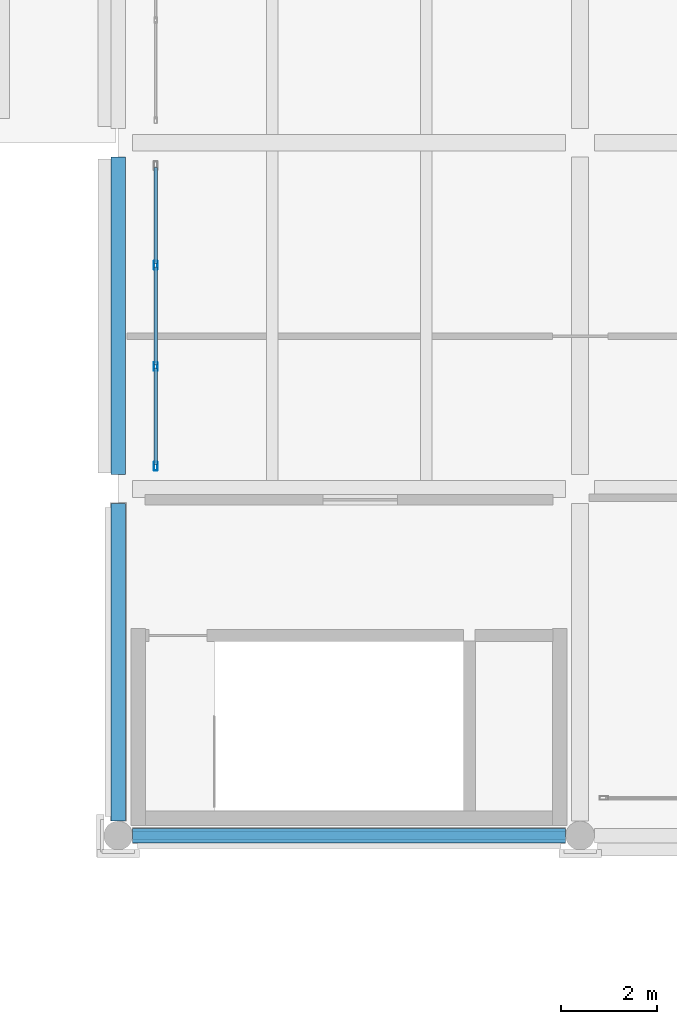
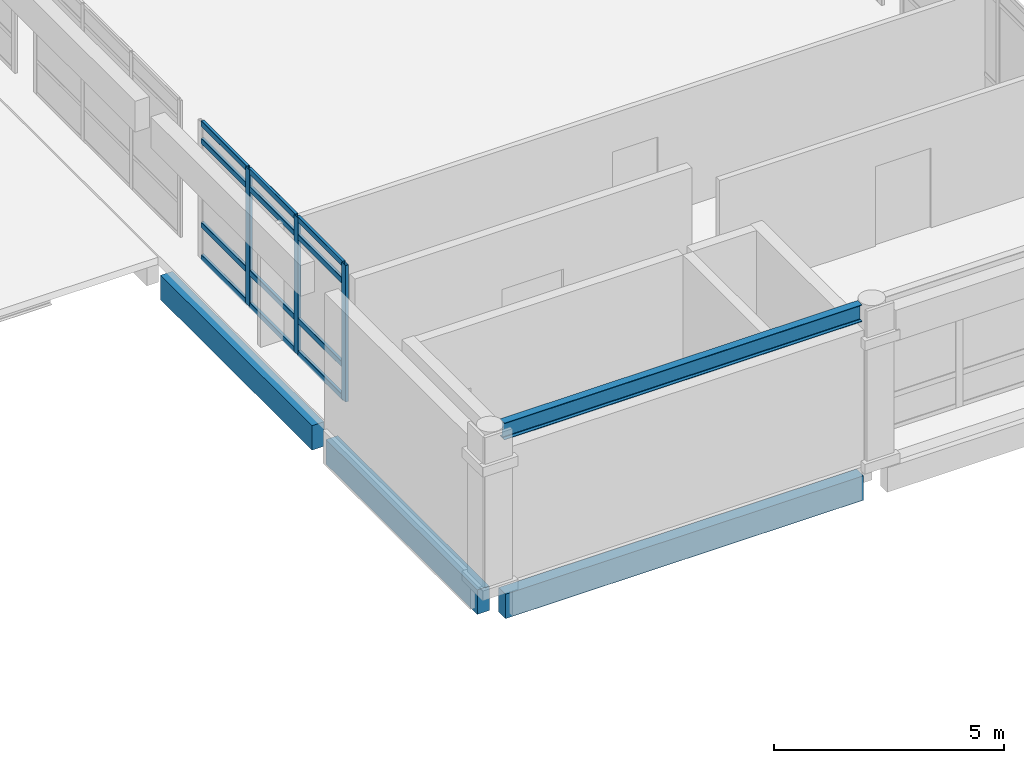
# One storey, part 60 of 180: 15 members, 4 beams, 1 element without a shape of its own.
"""IFC4 building model written with IfcOpenShell, lengths in metres."""

from ifc_helpers import new_model, si_unit, direction, frame, origin, origin_2d, place, context, subcontext, project, spatial, rectangle, hollow_rectangle, i_section, extrude, material, layer, layer_set, material_profile, profile_set, type_object, element, aggregate, save


model = new_model("IFC4")

# Units and contexts
model_context = context("Model", 3, precision=1e-05, world=origin(), true_north=direction((0.0, 1.0)))
body_context = subcontext(model_context, "Body", "Model", "MODEL_VIEW")
ifc_project = project(units=[si_unit("LENGTHUNIT", "METRE"), si_unit("AREAUNIT", "SQUARE_METRE"), si_unit("VOLUMEUNIT", "CUBIC_METRE"), si_unit("PLANEANGLEUNIT", "RADIAN"), si_unit("MASSUNIT", "GRAM", prefix="KILO")], contexts=[model_context])

# Site, building, storey
site_placement = place(None, origin())
site = spatial("IfcSite", under=ifc_project, at=site_placement, CompositionType="ELEMENT")
building_placement = place(site_placement, origin())
building = spatial("IfcBuilding", under=site, at=building_placement, Name="Asteropetra Specialist Clinic", CompositionType="ELEMENT")
storey_placement = place(building_placement, frame((0.0, 0.0, 4.419921875)))
storey = spatial("IfcBuildingStorey", under=building, at=storey_placement, Name="L01", CompositionType="ELEMENT", Elevation=4.419921875)

# Beam
ifc_material_1 = material(Name="Steel S355", Category="steel")
ifc_material_profile_1 = material_profile(ifc_material_1, i_section(OverallWidth=0.18994140625, OverallDepth=0.449951171875, WebThickness=0.009521484375, FlangeThickness=0.0146484375, FilletRadius=0.02099609375, at=origin_2d()), Name="IPE 450")
ifc_profile_set_1 = profile_set([ifc_material_profile_1], Name="Steel S355")
beam_type_1 = type_object("IfcBeamType", Name="BM-STL-IPE450", PredefinedType="BEAM", material=ifc_profile_set_1)
beam_1_placement = place(storey_placement, frame((77.10009765625, 33.60009765625, 4.030029296875), z_axis=(1.0, 0.0, 0.0), x_axis=(0.0, 1.0, 0.0)))
element("IfcBeam", 1, at=beam_1_placement, inside=storey, type_object=beam_type_1, Name="Pavilion Eave Girder EG3-76-33", PredefinedType="BEAM", context=body_context, shape_type="SweptSolid", body=[
    extrude(i_section(OverallWidth=0.18994140625, OverallDepth=0.449951171875, WebThickness=0.009521484375, FlangeThickness=0.0146484375, FilletRadius=0.02099609375, at=origin_2d()), origin(), (0.0, 0.0, 1.0), 9.0),
])

# Curtain wall, members
ifc_material_2 = material(Name="Aluminium and low-E glass", Category="aluminium")
ifc_layer = layer(ifc_material_2, 0.179931640625)
ifc_layer_set = layer_set([ifc_layer], Name="Aluminium and low-E glass")
curtain_wall_type = type_object("IfcCurtainWallType", Name="CW-SYS-10", PredefinedType="USERDEFINED", material=ifc_layer_set)
curtain_wall_placement = place(storey_placement, origin())
curtain_wall = element("IfcCurtainWall", 2, at=curtain_wall_placement, inside=storey, type_object=curtain_wall_type, Name="Curtain Wall CW-177", ObjectType="STICK GLAZED COLONNADE", PredefinedType="USERDEFINED")
ifc_material_3 = material(Name="Aluminium 6063-T6", Category="aluminium")
ifc_material_profile_2 = material_profile(ifc_material_3, hollow_rectangle(XDim=0.074951171875, YDim=0.179931640625, WallThickness=0.00390625, InnerFilletRadius=0.00390625, OuterFilletRadius=0.008056640625, at=origin_2d()), Name="MUL 180x75x4.0")
ifc_profile_set_2 = profile_set([ifc_material_profile_2], Name="Aluminium 6063-T6")
member_type_1 = type_object("IfcMemberType", Name="CWM-180x75", PredefinedType="MULLION", material=ifc_profile_set_2)
member_1_placement = place(storey_placement, frame((77.580078125, 45.453369140625, 0.0), z_axis=(0.0, 0.0, 1.0), x_axis=(1.0, 0.0, 0.0)))
member_1 = element("IfcMember", 3, at=member_1_placement, type_object=member_type_1, Name="CW-177 mullion 2", PredefinedType="MULLION", context=body_context, shape_type="SweptSolid", body=[
    extrude(hollow_rectangle(XDim=0.074951171875, YDim=0.179931640625, WallThickness=0.00390625, InnerFilletRadius=0.00390625, OuterFilletRadius=0.008056640625, at=origin_2d()), origin(), (0.0, 0.0, 1.0), 3.630126953125),
])
member_2_placement = place(storey_placement, frame((77.580078125, 43.3466796875, 0.0), z_axis=(0.0, 0.0, 1.0), x_axis=(1.0, 0.0, 0.0)))
member_2 = element("IfcMember", 4, at=member_2_placement, type_object=member_type_1, Name="CW-177 mullion 3", PredefinedType="MULLION", context=body_context, shape_type="SweptSolid", body=[
    extrude(hollow_rectangle(XDim=0.074951171875, YDim=0.179931640625, WallThickness=0.00390625, InnerFilletRadius=0.00390625, OuterFilletRadius=0.008056640625, at=origin_2d()), origin(), (0.0, 0.0, 1.0), 3.630126953125),
])
member_3_placement = place(storey_placement, frame((77.580078125, 41.277587890625, 0.0), z_axis=(0.0, 0.0, 1.0), x_axis=(1.0, 0.0, 0.0)))
member_3 = element("IfcMember", 5, at=member_3_placement, type_object=member_type_1, Name="CW-177 mullion 4", PredefinedType="MULLION", context=body_context, shape_type="SweptSolid", body=[
    extrude(hollow_rectangle(XDim=0.074951171875, YDim=0.179931640625, WallThickness=0.00390625, InnerFilletRadius=0.00390625, OuterFilletRadius=0.008056640625, at=origin_2d()), origin(), (0.0, 0.0, 1.0), 3.630126953125),
])
ifc_material_4 = material(Name="Aluminium 6063-T6", Category="aluminium")
ifc_material_profile_3 = material_profile(ifc_material_4, hollow_rectangle(XDim=0.074951171875, YDim=0.14990234375, WallThickness=0.00390625, InnerFilletRadius=0.00390625, OuterFilletRadius=0.008056640625, at=origin_2d()), Name="TRN 150x75x4.0")
ifc_profile_set_3 = profile_set([ifc_material_profile_3], Name="Aluminium 6063-T6")
member_type_2 = type_object("IfcMemberType", Name="CWT-150x75", PredefinedType="USERDEFINED", material=ifc_profile_set_3)
member_4_placement = place(storey_placement, frame((77.580078125, 47.485107421875, 0.03759765625), z_axis=(0.0, -1.0, 0.0), x_axis=(1.0, 0.0, 0.0)))
member_4 = element("IfcMember", 6, at=member_4_placement, type_object=member_type_2, Name="CW-177 transom 1.1", ObjectType="TRANSOM", PredefinedType="USERDEFINED", context=body_context, shape_type="SweptSolid", body=[
    extrude(hollow_rectangle(XDim=0.074951171875, YDim=0.14990234375, WallThickness=0.00390625, InnerFilletRadius=0.00390625, OuterFilletRadius=0.008056640625, at=origin_2d()), origin(), (0.0, 0.0, 1.0), 1.994384765625),
])
member_5_placement = place(storey_placement, frame((77.580078125, 47.485107421875, 0.900146484375), z_axis=(0.0, -1.0, 0.0), x_axis=(1.0, 0.0, 0.0)))
member_5 = element("IfcMember", 7, at=member_5_placement, type_object=member_type_2, Name="CW-177 transom 1.2", ObjectType="TRANSOM", PredefinedType="USERDEFINED", context=body_context, shape_type="SweptSolid", body=[
    extrude(hollow_rectangle(XDim=0.074951171875, YDim=0.14990234375, WallThickness=0.00390625, InnerFilletRadius=0.00390625, OuterFilletRadius=0.008056640625, at=origin_2d()), origin(), (0.0, 0.0, 1.0), 1.994384765625),
])
member_6_placement = place(storey_placement, frame((77.580078125, 47.485107421875, 3.130126953125), z_axis=(0.0, -1.0, 0.0), x_axis=(1.0, 0.0, 0.0)))
member_6 = element("IfcMember", 8, at=member_6_placement, type_object=member_type_2, Name="CW-177 transom 1.3", ObjectType="TRANSOM", PredefinedType="USERDEFINED", context=body_context, shape_type="SweptSolid", body=[
    extrude(hollow_rectangle(XDim=0.074951171875, YDim=0.14990234375, WallThickness=0.00390625, InnerFilletRadius=0.00390625, OuterFilletRadius=0.008056640625, at=origin_2d()), origin(), (0.0, 0.0, 1.0), 1.994384765625),
])
member_7_placement = place(storey_placement, frame((77.580078125, 47.485107421875, 3.592529296875), z_axis=(0.0, -1.0, 0.0), x_axis=(1.0, 0.0, 0.0)))
member_7 = element("IfcMember", 9, at=member_7_placement, type_object=member_type_2, Name="CW-177 transom 1.4", ObjectType="TRANSOM", PredefinedType="USERDEFINED", context=body_context, shape_type="SweptSolid", body=[
    extrude(hollow_rectangle(XDim=0.074951171875, YDim=0.14990234375, WallThickness=0.00390625, InnerFilletRadius=0.00390625, OuterFilletRadius=0.008056640625, at=origin_2d()), origin(), (0.0, 0.0, 1.0), 1.994384765625),
])
member_8_placement = place(storey_placement, frame((77.580078125, 45.415771484375, 0.03759765625), z_axis=(0.0, -1.0, 0.0), x_axis=(1.0, 0.0, 0.0)))
member_8 = element("IfcMember", 10, at=member_8_placement, type_object=member_type_2, Name="CW-177 transom 2.1", ObjectType="TRANSOM", PredefinedType="USERDEFINED", context=body_context, shape_type="SweptSolid", body=[
    extrude(hollow_rectangle(XDim=0.074951171875, YDim=0.14990234375, WallThickness=0.00390625, InnerFilletRadius=0.00390625, OuterFilletRadius=0.008056640625, at=origin_2d()), origin(), (0.0, 0.0, 1.0), 2.031494140625),
])
member_9_placement = place(storey_placement, frame((77.580078125, 45.415771484375, 0.900146484375), z_axis=(0.0, -1.0, 0.0), x_axis=(1.0, 0.0, 0.0)))
member_9 = element("IfcMember", 11, at=member_9_placement, type_object=member_type_2, Name="CW-177 transom 2.2", ObjectType="TRANSOM", PredefinedType="USERDEFINED", context=body_context, shape_type="SweptSolid", body=[
    extrude(hollow_rectangle(XDim=0.074951171875, YDim=0.14990234375, WallThickness=0.00390625, InnerFilletRadius=0.00390625, OuterFilletRadius=0.008056640625, at=origin_2d()), origin(), (0.0, 0.0, 1.0), 2.031494140625),
])
member_10_placement = place(storey_placement, frame((77.580078125, 45.415771484375, 3.130126953125), z_axis=(0.0, -1.0, 0.0), x_axis=(1.0, 0.0, 0.0)))
member_10 = element("IfcMember", 12, at=member_10_placement, type_object=member_type_2, Name="CW-177 transom 2.3", ObjectType="TRANSOM", PredefinedType="USERDEFINED", context=body_context, shape_type="SweptSolid", body=[
    extrude(hollow_rectangle(XDim=0.074951171875, YDim=0.14990234375, WallThickness=0.00390625, InnerFilletRadius=0.00390625, OuterFilletRadius=0.008056640625, at=origin_2d()), origin(), (0.0, 0.0, 1.0), 2.031494140625),
])
member_11_placement = place(storey_placement, frame((77.580078125, 45.415771484375, 3.592529296875), z_axis=(0.0, -1.0, 0.0), x_axis=(1.0, 0.0, 0.0)))
member_11 = element("IfcMember", 13, at=member_11_placement, type_object=member_type_2, Name="CW-177 transom 2.4", ObjectType="TRANSOM", PredefinedType="USERDEFINED", context=body_context, shape_type="SweptSolid", body=[
    extrude(hollow_rectangle(XDim=0.074951171875, YDim=0.14990234375, WallThickness=0.00390625, InnerFilletRadius=0.00390625, OuterFilletRadius=0.008056640625, at=origin_2d()), origin(), (0.0, 0.0, 1.0), 2.031494140625),
])
member_12_placement = place(storey_placement, frame((77.580078125, 43.30908203125, 0.03759765625), z_axis=(0.0, -1.0, 0.0), x_axis=(1.0, 0.0, 0.0)))
member_12 = element("IfcMember", 14, at=member_12_placement, type_object=member_type_2, Name="CW-177 transom 3.1", ObjectType="TRANSOM", PredefinedType="USERDEFINED", context=body_context, shape_type="SweptSolid", body=[
    extrude(hollow_rectangle(XDim=0.074951171875, YDim=0.14990234375, WallThickness=0.00390625, InnerFilletRadius=0.00390625, OuterFilletRadius=0.008056640625, at=origin_2d()), origin(), (0.0, 0.0, 1.0), 1.994140625),
])
member_13_placement = place(storey_placement, frame((77.580078125, 43.30908203125, 0.900146484375), z_axis=(0.0, -1.0, 0.0), x_axis=(1.0, 0.0, 0.0)))
member_13 = element("IfcMember", 15, at=member_13_placement, type_object=member_type_2, Name="CW-177 transom 3.2", ObjectType="TRANSOM", PredefinedType="USERDEFINED", context=body_context, shape_type="SweptSolid", body=[
    extrude(hollow_rectangle(XDim=0.074951171875, YDim=0.14990234375, WallThickness=0.00390625, InnerFilletRadius=0.00390625, OuterFilletRadius=0.008056640625, at=origin_2d()), origin(), (0.0, 0.0, 1.0), 1.994140625),
])
member_14_placement = place(storey_placement, frame((77.580078125, 43.30908203125, 3.130126953125), z_axis=(0.0, -1.0, 0.0), x_axis=(1.0, 0.0, 0.0)))
member_14 = element("IfcMember", 16, at=member_14_placement, type_object=member_type_2, Name="CW-177 transom 3.3", ObjectType="TRANSOM", PredefinedType="USERDEFINED", context=body_context, shape_type="SweptSolid", body=[
    extrude(hollow_rectangle(XDim=0.074951171875, YDim=0.14990234375, WallThickness=0.00390625, InnerFilletRadius=0.00390625, OuterFilletRadius=0.008056640625, at=origin_2d()), origin(), (0.0, 0.0, 1.0), 1.994140625),
])
member_15_placement = place(storey_placement, frame((77.580078125, 43.30908203125, 3.592529296875), z_axis=(0.0, -1.0, 0.0), x_axis=(1.0, 0.0, 0.0)))
member_15 = element("IfcMember", 17, at=member_15_placement, type_object=member_type_2, Name="CW-177 transom 3.4", ObjectType="TRANSOM", PredefinedType="USERDEFINED", context=body_context, shape_type="SweptSolid", body=[
    extrude(hollow_rectangle(XDim=0.074951171875, YDim=0.14990234375, WallThickness=0.00390625, InnerFilletRadius=0.00390625, OuterFilletRadius=0.008056640625, at=origin_2d()), origin(), (0.0, 0.0, 1.0), 1.994140625),
])
aggregate(curtain_wall, [member_1, member_2, member_3, member_4, member_5, member_6, member_7, member_8, member_9, member_10, member_11, member_12, member_13, member_14, member_15])

# Beams
ifc_material_5 = material(Name="Concrete C35/45", Category="concrete")
ifc_material_profile_4 = material_profile(ifc_material_5, rectangle(XDim=0.300048828125, YDim=0.64990234375, at=origin_2d()), Name="RCS 300x650")
ifc_profile_set_4 = profile_set([ifc_material_profile_4], Name="Concrete C35/45")
beam_type_2 = type_object("IfcBeamType", Name="SPN-RC300x650", PredefinedType="SPANDREL", material=ifc_profile_set_4)
beam_2_placement = place(storey_placement, frame((77.10009765625, 33.60009765625, -0.5849609375), z_axis=(1.0, 0.0, 0.0), x_axis=(0.0, 1.0, 0.0)))
element("IfcBeam", 18, at=beam_2_placement, inside=storey, type_object=beam_type_2, Name="Beam BSPN03-0764", PredefinedType="SPANDREL", context=body_context, shape_type="SweptSolid", body=[
    extrude(rectangle(XDim=0.300048828125, YDim=0.64990234375, at=origin_2d()), origin(), (0.0, 0.0, 1.0), 9.0),
])
beam_3_placement = place(storey_placement, frame((76.800048828125, 33.89990234375, -0.5849609375), z_axis=(0.0, 1.0, 0.0), x_axis=(-1.0, 0.0, 0.0)))
element("IfcBeam", 19, at=beam_3_placement, inside=storey, type_object=beam_type_2, Name="Beam BSPN03-0774", PredefinedType="SPANDREL", context=body_context, shape_type="SweptSolid", body=[
    extrude(rectangle(XDim=0.300048828125, YDim=0.64990234375, at=origin_2d()), origin(), (0.0, 0.0, 1.0), 6.60009765625),
])
beam_4_placement = place(storey_placement, frame((76.800048828125, 41.10009765625, -0.5849609375), z_axis=(0.0, 1.0, 0.0), x_axis=(-1.0, 0.0, 0.0)))
element("IfcBeam", 20, at=beam_4_placement, inside=storey, type_object=beam_type_2, Name="Beam BSPN03-0779", PredefinedType="SPANDREL", context=body_context, shape_type="SweptSolid", body=[
    extrude(rectangle(XDim=0.300048828125, YDim=0.64990234375, at=origin_2d()), origin(), (0.0, 0.0, 1.0), 6.599853515625),
])

save(model, "model.ifc")
